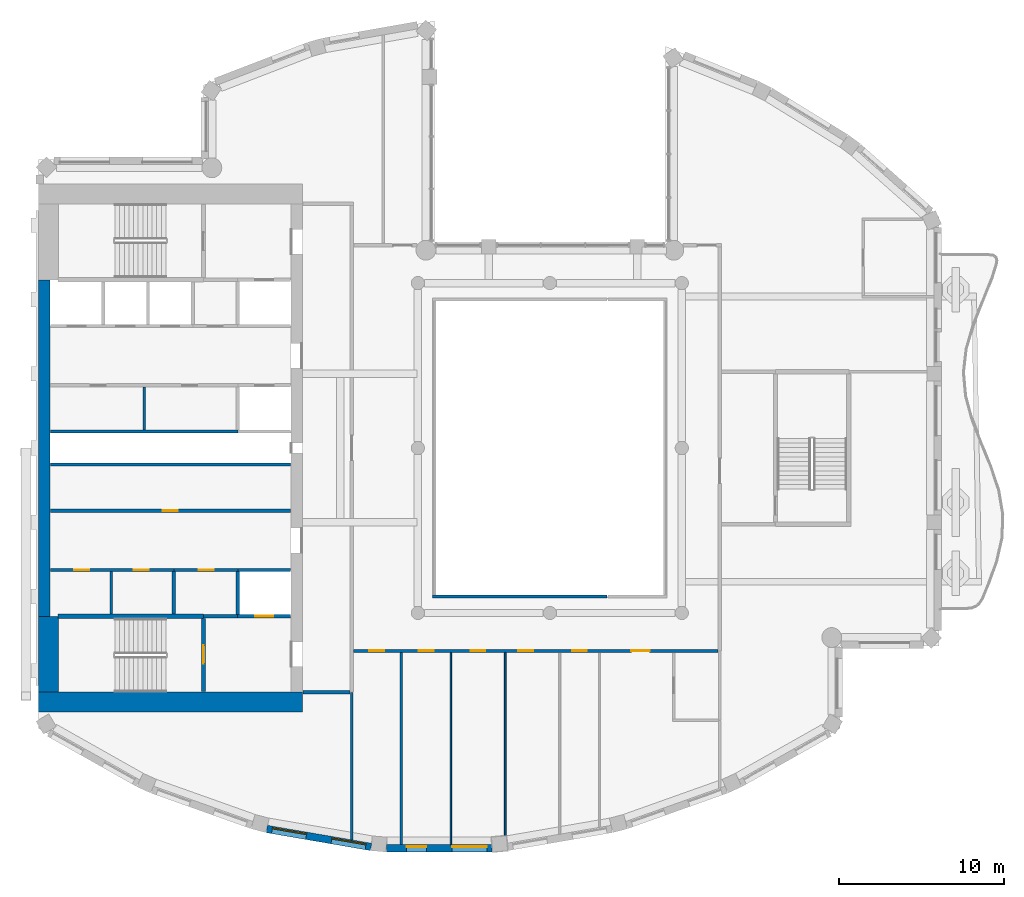
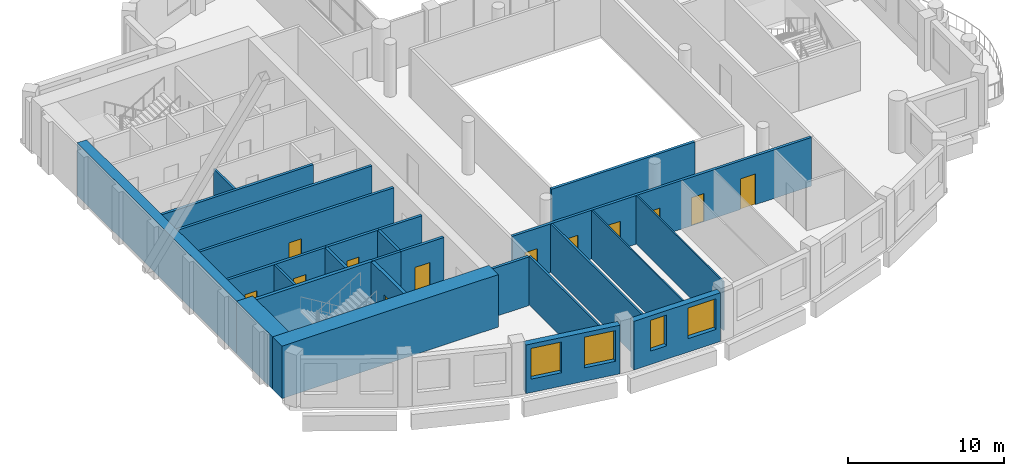
# One storey, part 4 of 15: 26 walls, 12 doors, 4 windows, 16 openings.
"""IFC4 building model written with IfcOpenShell, lengths in metres."""

from ifc_helpers import new_model, si_unit, direction, frame, frame_2d, origin, place, context, subcontext, project, spatial, rectangle, extrude, material, layer, layer_set, type_object, element, fill, save


model = new_model("IFC4")

# Units and contexts
model_context = context("Model", 3, precision=1e-05, world=origin(), true_north=direction((0.0, 1.0)))
body_context = subcontext(model_context, "Body", "Model", "MODEL_VIEW")
ifc_project = project(units=[si_unit("LENGTHUNIT", "METRE"), si_unit("AREAUNIT", "SQUARE_METRE"), si_unit("VOLUMEUNIT", "CUBIC_METRE"), si_unit("PLANEANGLEUNIT", "RADIAN"), si_unit("MASSUNIT", "GRAM", prefix="KILO")], contexts=[model_context])

# Site, building, storey
site_placement = place(None, origin())
site = spatial("IfcSite", under=ifc_project, at=site_placement, CompositionType="ELEMENT")
building_placement = place(site_placement, origin())
building = spatial("IfcBuilding", under=site, at=building_placement, Name="Cypress Arch Tower", CompositionType="ELEMENT")
storey_placement = place(building_placement, frame((0.0, 0.0, 313.10009765625)))
storey = spatial("IfcBuildingStorey", under=building, at=storey_placement, Name="L71", CompositionType="ELEMENT", Elevation=313.10009765625)

# Wall, openings, windows
ifc_material_1 = material(Name="Brick (red buff blend)", Category="masonry")
ifc_layer_1 = layer(ifc_material_1, 0.449951171875)
ifc_layer_set_1 = layer_set([ifc_layer_1], Name="Brick pier and spandrel wall BW450")
wall_type_1 = type_object("IfcWallType", Name="Brick pier and spandrel wall BW450", PredefinedType="SOLIDWALL", material=ifc_layer_set_1)
wall_1_placement = place(storey_placement, frame((-16.15673828125, -23.09716796875, 0.0), z_axis=(0.0, 0.0, 1.0), x_axis=(0.985502073964, -0.169663379113, 0.0)))
wall_1 = element("IfcWall", 1, at=wall_1_placement, inside=storey, type_object=wall_type_1, Name="Brick wall L71 C10.0", PredefinedType="SOLIDWALL", context=body_context, shape_type="SweptSolid", body=[
    extrude(rectangle(XDim=6.412109375, YDim=0.449951171875, at=frame_2d((3.2060546875, 0.0))), origin(), (0.0, 0.0, 1.0), 3.7998046875),
])
opening_1_placement = place(wall_1_placement, frame((0.3271484375, 0.0, 1.050048828125)))
opening_1 = element("IfcOpeningElement", 2, at=opening_1_placement, cuts=wall_1, Name="Opening W210O", PredefinedType="OPENING", context=body_context, shape_type="SweptSolid", body=[
    extrude(rectangle(XDim=2.10009765625, YDim=2.39990234375, at=frame_2d((1.050048828125, 1.199951171875))), frame((0.0, 0.23486328125, 0.0), z_axis=(0.0, -1.0, 0.0), x_axis=(1.0, 0.0, 0.0)), (0.0, 0.0, 1.0), 0.469970703125),
])
opening_2_placement = place(wall_1_placement, frame((3.98486328125, 0.0, 1.050048828125)))
opening_2 = element("IfcOpeningElement", 3, at=opening_2_placement, cuts=wall_1, Name="Opening W210O", PredefinedType="OPENING", context=body_context, shape_type="SweptSolid", body=[
    extrude(rectangle(XDim=2.10009765625, YDim=2.39990234375, at=frame_2d((1.050048828125, 1.199951171875))), frame((0.0, 0.23486328125, 0.0), z_axis=(0.0, -1.0, 0.0), x_axis=(1.0, 0.0, 0.0)), (0.0, 0.0, 1.0), 0.469970703125),
])
ifc_material_2 = material(Name="Anodised aluminium, bronze finish, clear low-emissivity double glazing", Category="aluminium")
window_type_1 = type_object("IfcWindowType", Name="Window Office 2100x2400", PartitioningType="SINGLE_PANEL", PredefinedType="WINDOW", material=ifc_material_2)
window_1_placement = place(opening_1_placement, origin())
window_1 = element("IfcWindow", 4, at=window_1_placement, inside=storey, type_object=window_type_1, Name="Window L71 C10.0.1", OverallHeight=2.39990234375, OverallWidth=2.10009765625, PartitioningType="SINGLE_PANEL", PredefinedType="WINDOW", context=body_context, shape_type="SweptSolid", body=[
    extrude(rectangle(XDim=2.10009765625, YDim=2.39990234375, at=frame_2d((1.050048828125, 1.199951171875))), frame((0.0, 0.135009765625, 0.0), z_axis=(0.0, -1.0, 0.0), x_axis=(1.0, 0.0, 0.0)), (0.0, 0.0, 1.0), 0.06005859375),
])
fill(opening_1, window_1)
window_2_placement = place(opening_2_placement, origin())
window_2 = element("IfcWindow", 5, at=window_2_placement, inside=storey, type_object=window_type_1, Name="Window L71 C10.0.2", OverallHeight=2.39990234375, OverallWidth=2.10009765625, PartitioningType="SINGLE_PANEL", PredefinedType="WINDOW", context=body_context, shape_type="SweptSolid", body=[
    extrude(rectangle(XDim=2.10009765625, YDim=2.39990234375, at=frame_2d((1.050048828125, 1.199951171875))), frame((0.0, 0.135009765625, 0.0), z_axis=(0.0, -1.0, 0.0), x_axis=(1.0, 0.0, 0.0)), (0.0, 0.0, 1.0), 0.06005859375),
])
fill(opening_2, window_2)

wall_2_placement = place(storey_placement, frame((-8.90283203125, -24.264892578125, 0.0), z_axis=(0.0, 0.0, 1.0), x_axis=(1.0, 0.0, 0.0)))
wall_2 = element("IfcWall", 6, at=wall_2_placement, inside=storey, type_object=wall_type_1, Name="Brick wall L71 C11.0", PredefinedType="SOLIDWALL", context=body_context, shape_type="SweptSolid", body=[
    extrude(rectangle(XDim=6.405517578125, YDim=0.449951171875, at=frame_2d((3.20263671875, 0.0))), origin(), (0.0, 0.0, 1.0), 3.7998046875),
])
opening_3_placement = place(wall_2_placement, frame((3.97998046875, 0.0, 1.050048828125)))
opening_3 = element("IfcOpeningElement", 7, at=opening_3_placement, cuts=wall_2, Name="Opening W210O", PredefinedType="OPENING", context=body_context, shape_type="SweptSolid", body=[
    extrude(rectangle(XDim=2.10009765625, YDim=2.39990234375, at=frame_2d((1.050048828125, 1.199951171875))), frame((0.0, 0.23486328125, 0.0), z_axis=(0.0, -1.0, 0.0), x_axis=(1.0, 0.0, 0.0)), (0.0, 0.0, 1.0), 0.469970703125),
])
opening_4_placement = place(wall_2_placement, frame((1.214111328125, 0.0, 1.050048828125)))
opening_4 = element("IfcOpeningElement", 8, at=opening_4_placement, cuts=wall_2, Name="Opening W120O", PredefinedType="OPENING", context=body_context, shape_type="SweptSolid", body=[
    extrude(rectangle(XDim=1.199951171875, YDim=2.39990234375, at=frame_2d((0.60009765625, 1.199951171875))), frame((0.0, 0.23486328125, 0.0), z_axis=(0.0, -1.0, 0.0), x_axis=(1.0, 0.0, 0.0)), (0.0, 0.0, 1.0), 0.469970703125),
])
ifc_material_3 = material(Name="Anodised aluminium, bronze finish, clear low-emissivity double glazing", Category="aluminium")
window_type_2 = type_object("IfcWindowType", Name="Window Office 1200x2400", PartitioningType="SINGLE_PANEL", PredefinedType="WINDOW", material=ifc_material_3)
window_3_placement = place(opening_4_placement, origin())
window_3 = element("IfcWindow", 9, at=window_3_placement, inside=storey, type_object=window_type_2, Name="Window L71 C11.0.1", OverallHeight=2.39990234375, OverallWidth=1.199951171875, PartitioningType="SINGLE_PANEL", PredefinedType="WINDOW", context=body_context, shape_type="SweptSolid", body=[
    extrude(rectangle(XDim=1.199951171875, YDim=2.39990234375, at=frame_2d((0.60009765625, 1.199951171875))), frame((0.0, 0.135009765625, 0.0), z_axis=(0.0, -1.0, 0.0), x_axis=(1.0, 0.0, 0.0)), (0.0, 0.0, 1.0), 0.06005859375),
])
fill(opening_4, window_3)
window_4_placement = place(opening_3_placement, origin())
window_4 = element("IfcWindow", 10, at=window_4_placement, inside=storey, type_object=window_type_1, Name="Window L71 C11.0.2", OverallHeight=2.39990234375, OverallWidth=2.10009765625, PartitioningType="SINGLE_PANEL", PredefinedType="WINDOW", context=body_context, shape_type="SweptSolid", body=[
    extrude(rectangle(XDim=2.10009765625, YDim=2.39990234375, at=frame_2d((1.050048828125, 1.199951171875))), frame((0.0, 0.135009765625, 0.0), z_axis=(0.0, -1.0, 0.0), x_axis=(1.0, 0.0, 0.0)), (0.0, 0.0, 1.0), 0.06005859375),
])
fill(opening_3, window_4)

# Walls
ifc_material_4 = material(Name="Concrete C60/75", Category="concrete")
ifc_layer_2 = layer(ifc_material_4, 1.199951171875)
ifc_layer_set_2 = layer_set([ifc_layer_2], Name="Core wall CW1200 C60/75")
wall_type_2 = type_object("IfcWallType", Name="Core wall CW1200 C60/75", PredefinedType="SHEAR", material=ifc_layer_set_2)
wall_3_placement = place(storey_placement, frame((-30.0, -15.39990234375, 0.0), z_axis=(0.0, 0.0, 1.0), x_axis=(1.0, 0.0, 0.0)))
element("IfcWall", 11, at=wall_3_placement, inside=storey, type_object=wall_type_2, Name="Core wall", PredefinedType="SHEAR", context=body_context, shape_type="SweptSolid", body=[
    extrude(rectangle(XDim=16.0, YDim=1.199951171875, at=frame_2d((8.0, 0.0))), origin(), (0.0, 0.0, 1.0), 4.099853515625),
])
wall_4_placement = place(storey_placement, frame((-29.39990234375, -14.800048828125, 0.0), z_axis=(0.0, 0.0, 1.0), x_axis=(0.0, 1.0, 0.0)))
element("IfcWall", 12, at=wall_4_placement, inside=storey, type_object=wall_type_2, Name="Core wall", PredefinedType="SHEAR", context=body_context, shape_type="SweptSolid", body=[
    extrude(rectangle(XDim=4.60009765625, YDim=1.199951171875, at=frame_2d((2.300048828125, 0.0))), origin(), (0.0, 0.0, 1.0), 4.099853515625),
])
ifc_material_5 = material(Name="Concrete C60/75", Category="concrete")
ifc_layer_3 = layer(ifc_material_5, 0.699951171875)
ifc_layer_set_3 = layer_set([ifc_layer_3], Name="Core wall CW700 C60/75")
wall_type_3 = type_object("IfcWallType", Name="Core wall CW700 C60/75", PredefinedType="SHEAR", material=ifc_layer_set_3)
wall_5_placement = place(storey_placement, frame((-29.64990234375, -10.199951171875, 0.0), z_axis=(0.0, 0.0, 1.0), x_axis=(0.0, 1.0, 0.0)))
element("IfcWall", 13, at=wall_5_placement, inside=storey, type_object=wall_type_3, Name="Core wall", PredefinedType="SHEAR", context=body_context, shape_type="SweptSolid", body=[
    extrude(rectangle(XDim=20.39990234375, YDim=0.699951171875, at=frame_2d((10.199951171875, 0.0))), origin(), (0.0, 0.0, 1.0), 4.099853515625),
])

# Wall, openings, doors
ifc_material_6 = material(Name="Concrete blockwork, plastered, rated", Category="masonry")
ifc_layer_4 = layer(ifc_material_6, 0.199951171875)
ifc_layer_set_4 = layer_set([ifc_layer_4], Name="Corridor wall FW200")
wall_type_4 = type_object("IfcWallType", Name="Corridor wall FW200", PredefinedType="PARTITIONING", material=ifc_layer_set_4)
wall_6_placement = place(storey_placement, frame((-29.27001953125, -7.39990234375, 0.0), z_axis=(0.0, 0.0, 1.0), x_axis=(1.0, 0.0, 0.0)))
wall_6 = element("IfcWall", 14, at=wall_6_placement, inside=storey, type_object=wall_type_4, Name="Corridor wall", PredefinedType="PARTITIONING", context=body_context, shape_type="SweptSolid", body=[
    extrude(rectangle(XDim=7.489990234375, YDim=0.199951171875, at=frame_2d((3.7451171875, 0.0))), origin(), (0.0, 0.0, 1.0), 3.7998046875),
])
opening_5_placement = place(wall_6_placement, frame((1.449951171875, 0.0, 0.0)))
opening_5 = element("IfcOpeningElement", 15, at=opening_5_placement, cuts=wall_6, Name="Opening D05", PredefinedType="OPENING", context=body_context, shape_type="SweptSolid", body=[
    extrude(rectangle(XDim=0.89990234375, YDim=2.199951171875, at=frame_2d((0.449951171875, 1.10009765625))), frame((0.0, 0.10986328125, 0.0), z_axis=(0.0, -1.0, 0.0), x_axis=(1.0, 0.0, 0.0)), (0.0, 0.0, 1.0), 0.219970703125),
])
opening_6_placement = place(wall_6_placement, frame((5.050048828125, 0.0, 0.0)))
opening_6 = element("IfcOpeningElement", 16, at=opening_6_placement, cuts=wall_6, Name="Opening D05", PredefinedType="OPENING", context=body_context, shape_type="SweptSolid", body=[
    extrude(rectangle(XDim=0.89990234375, YDim=2.199951171875, at=frame_2d((0.449951171875, 1.10009765625))), frame((0.0, 0.10986328125, 0.0), z_axis=(0.0, -1.0, 0.0), x_axis=(1.0, 0.0, 0.0)), (0.0, 0.0, 1.0), 0.219970703125),
])
ifc_material_7 = material(Name="Timber flush door", Category="wood")
door_type_1 = type_object("IfcDoorType", Name="Service door D05 900x2200", OperationType="SINGLE_SWING_LEFT", PredefinedType="DOOR", material=ifc_material_7)
door_1_placement = place(opening_5_placement, origin())
door_1 = element("IfcDoor", 17, at=door_1_placement, inside=storey, type_object=door_type_1, Name="Service door", OperationType="SINGLE_SWING_LEFT", OverallHeight=2.199951171875, OverallWidth=0.89990234375, PredefinedType="DOOR", context=body_context, shape_type="SweptSolid", body=[
    extrude(rectangle(XDim=0.89990234375, YDim=2.199951171875, at=frame_2d((0.449951171875, 1.10009765625))), frame((0.0, 0.02490234375, 0.0), z_axis=(0.0, -1.0, 0.0), x_axis=(1.0, 0.0, 0.0)), (0.0, 0.0, 1.0), 0.050048828125),
])
fill(opening_5, door_1)
door_2_placement = place(opening_6_placement, origin())
door_2 = element("IfcDoor", 18, at=door_2_placement, inside=storey, type_object=door_type_1, Name="Service door", OperationType="SINGLE_SWING_RIGHT", OverallHeight=2.199951171875, OverallWidth=0.89990234375, PredefinedType="DOOR", context=body_context, shape_type="SweptSolid", body=[
    extrude(rectangle(XDim=0.89990234375, YDim=2.199951171875, at=frame_2d((0.449951171875, 1.10009765625))), frame((0.0, 0.02490234375, 0.0), z_axis=(0.0, -1.0, 0.0), x_axis=(1.0, 0.0, 0.0)), (0.0, 0.0, 1.0), 0.050048828125),
])
fill(opening_6, door_2)

# Wall, opening, door
wall_7_placement = place(storey_placement, frame((-29.27001953125, -3.800048828125, 0.0), z_axis=(0.0, 0.0, 1.0), x_axis=(1.0, 0.0, 0.0)))
wall_7 = element("IfcWall", 19, at=wall_7_placement, inside=storey, type_object=wall_type_4, Name="Corridor wall", PredefinedType="PARTITIONING", context=body_context, shape_type="SweptSolid", body=[
    extrude(rectangle(XDim=14.5400390625, YDim=0.199951171875, at=frame_2d((7.27001953125, 0.0))), origin(), (0.0, 0.0, 1.0), 3.7998046875),
])
opening_7_placement = place(wall_7_placement, frame((6.800048828125, 0.0, 0.0)))
opening_7 = element("IfcOpeningElement", 20, at=opening_7_placement, cuts=wall_7, Name="Opening D05", PredefinedType="OPENING", context=body_context, shape_type="SweptSolid", body=[
    extrude(rectangle(XDim=0.89990234375, YDim=2.199951171875, at=frame_2d((0.449951171875, 1.10009765625))), frame((0.0, 0.10986328125, 0.0), z_axis=(0.0, -1.0, 0.0), x_axis=(1.0, 0.0, 0.0)), (0.0, 0.0, 1.0), 0.219970703125),
])
door_3_placement = place(opening_7_placement, origin())
door_3 = element("IfcDoor", 21, at=door_3_placement, inside=storey, type_object=door_type_1, Name="Service door", OperationType="SINGLE_SWING_LEFT", OverallHeight=2.199951171875, OverallWidth=0.89990234375, PredefinedType="DOOR", context=body_context, shape_type="SweptSolid", body=[
    extrude(rectangle(XDim=0.89990234375, YDim=2.199951171875, at=frame_2d((0.449951171875, 1.10009765625))), frame((0.0, 0.02490234375, 0.0), z_axis=(0.0, -1.0, 0.0), x_axis=(1.0, 0.0, 0.0)), (0.0, 0.0, 1.0), 0.050048828125),
])
fill(opening_7, door_3)

# Wall
wall_8_placement = place(storey_placement, frame((-13.969970703125, -14.800048828125, 0.0), z_axis=(0.0, 0.0, 1.0), x_axis=(1.0, 0.0, 0.0)))
element("IfcWall", 22, at=wall_8_placement, inside=storey, type_object=wall_type_4, Name="Corridor wall", PredefinedType="PARTITIONING", context=body_context, shape_type="SweptSolid", body=[
    extrude(rectangle(XDim=2.869873046875, YDim=0.199951171875, at=frame_2d((1.43505859375, 0.0))), origin(), (0.0, 0.0, 1.0), 3.7998046875),
])

# Wall, openings, doors
wall_9_placement = place(storey_placement, frame((-10.89990234375, -12.300048828125, 0.0), z_axis=(0.0, 0.0, 1.0), x_axis=(1.0, 0.0, 0.0)))
wall_9 = element("IfcWall", 23, at=wall_9_placement, inside=storey, type_object=wall_type_4, Name="Corridor wall", PredefinedType="PARTITIONING", context=body_context, shape_type="SweptSolid", body=[
    extrude(rectangle(XDim=22.099853515625, YDim=0.199951171875, at=frame_2d((11.0498046875, 0.0))), origin(), (0.0, 0.0, 1.0), 3.7998046875),
])
opening_8_placement = place(wall_9_placement, frame((0.949951171875, 0.0, 0.0)))
opening_8 = element("IfcOpeningElement", 24, at=opening_8_placement, cuts=wall_9, Name="Opening D05", PredefinedType="OPENING", context=body_context, shape_type="SweptSolid", body=[
    extrude(rectangle(XDim=0.89990234375, YDim=2.199951171875, at=frame_2d((0.449951171875, 1.10009765625))), frame((0.0, 0.10986328125, 0.0), z_axis=(0.0, -1.0, 0.0), x_axis=(1.0, 0.0, 0.0)), (0.0, 0.0, 1.0), 0.219970703125),
])
opening_9_placement = place(wall_9_placement, frame((3.949951171875, 0.0, 0.0)))
opening_9 = element("IfcOpeningElement", 25, at=opening_9_placement, cuts=wall_9, Name="Opening D05", PredefinedType="OPENING", context=body_context, shape_type="SweptSolid", body=[
    extrude(rectangle(XDim=0.89990234375, YDim=2.199951171875, at=frame_2d((0.449951171875, 1.10009765625))), frame((0.0, 0.10986328125, 0.0), z_axis=(0.0, -1.0, 0.0), x_axis=(1.0, 0.0, 0.0)), (0.0, 0.0, 1.0), 0.219970703125),
])
opening_10_placement = place(wall_9_placement, frame((7.10009765625, 0.0, 0.0)))
opening_10 = element("IfcOpeningElement", 26, at=opening_10_placement, cuts=wall_9, Name="Opening D03", PredefinedType="OPENING", context=body_context, shape_type="SweptSolid", body=[
    extrude(rectangle(XDim=0.89990234375, YDim=2.199951171875, at=frame_2d((0.449951171875, 1.10009765625))), frame((0.0, 0.10986328125, 0.0), z_axis=(0.0, -1.0, 0.0), x_axis=(1.0, 0.0, 0.0)), (0.0, 0.0, 1.0), 0.219970703125),
])
opening_11_placement = place(wall_9_placement, frame((10.0, 0.0, 0.0)))
opening_11 = element("IfcOpeningElement", 27, at=opening_11_placement, cuts=wall_9, Name="Opening D03", PredefinedType="OPENING", context=body_context, shape_type="SweptSolid", body=[
    extrude(rectangle(XDim=0.89990234375, YDim=2.199951171875, at=frame_2d((0.449951171875, 1.10009765625))), frame((0.0, 0.10986328125, 0.0), z_axis=(0.0, -1.0, 0.0), x_axis=(1.0, 0.0, 0.0)), (0.0, 0.0, 1.0), 0.219970703125),
])
opening_12_placement = place(wall_9_placement, frame((13.25, 0.0, 0.0)))
opening_12 = element("IfcOpeningElement", 28, at=opening_12_placement, cuts=wall_9, Name="Opening D03", PredefinedType="OPENING", context=body_context, shape_type="SweptSolid", body=[
    extrude(rectangle(XDim=0.89990234375, YDim=2.199951171875, at=frame_2d((0.449951171875, 1.10009765625))), frame((0.0, 0.10986328125, 0.0), z_axis=(0.0, -1.0, 0.0), x_axis=(1.0, 0.0, 0.0)), (0.0, 0.0, 1.0), 0.219970703125),
])
opening_13_placement = place(wall_9_placement, frame((16.85009765625, 0.0, 0.0)))
opening_13 = element("IfcOpeningElement", 29, at=opening_13_placement, cuts=wall_9, Name="Opening D01", PredefinedType="OPENING", context=body_context, shape_type="SweptSolid", body=[
    extrude(rectangle(XDim=1.10009765625, YDim=2.39990234375, at=frame_2d((0.550048828125, 1.199951171875))), frame((0.0, 0.10986328125, 0.0), z_axis=(0.0, -1.0, 0.0), x_axis=(1.0, 0.0, 0.0)), (0.0, 0.0, 1.0), 0.219970703125),
])
ifc_material_8 = material(Name="Timber flush door, moisture resistant", Category="wood")
door_type_2 = type_object("IfcDoorType", Name="Bathroom door D03 900x2200", OperationType="SINGLE_SWING_LEFT", PredefinedType="DOOR", material=ifc_material_8)
door_4_placement = place(opening_10_placement, origin())
door_4 = element("IfcDoor", 30, at=door_4_placement, inside=storey, type_object=door_type_2, Name="Bathroom door", OperationType="SINGLE_SWING_RIGHT", OverallHeight=2.199951171875, OverallWidth=0.89990234375, PredefinedType="DOOR", context=body_context, shape_type="SweptSolid", body=[
    extrude(rectangle(XDim=0.89990234375, YDim=2.199951171875, at=frame_2d((0.449951171875, 1.10009765625))), frame((0.0, 0.02490234375, 0.0), z_axis=(0.0, -1.0, 0.0), x_axis=(1.0, 0.0, 0.0)), (0.0, 0.0, 1.0), 0.050048828125),
])
fill(opening_10, door_4)
door_5_placement = place(opening_11_placement, origin())
door_5 = element("IfcDoor", 31, at=door_5_placement, inside=storey, type_object=door_type_2, Name="Bathroom door", OperationType="SINGLE_SWING_RIGHT", OverallHeight=2.199951171875, OverallWidth=0.89990234375, PredefinedType="DOOR", context=body_context, shape_type="SweptSolid", body=[
    extrude(rectangle(XDim=0.89990234375, YDim=2.199951171875, at=frame_2d((0.449951171875, 1.10009765625))), frame((0.0, 0.02490234375, 0.0), z_axis=(0.0, -1.0, 0.0), x_axis=(1.0, 0.0, 0.0)), (0.0, 0.0, 1.0), 0.050048828125),
])
fill(opening_11, door_5)
door_6_placement = place(opening_12_placement, origin())
door_6 = element("IfcDoor", 32, at=door_6_placement, inside=storey, type_object=door_type_2, Name="Bathroom door", OperationType="SINGLE_SWING_RIGHT", OverallHeight=2.199951171875, OverallWidth=0.89990234375, PredefinedType="DOOR", context=body_context, shape_type="SweptSolid", body=[
    extrude(rectangle(XDim=0.89990234375, YDim=2.199951171875, at=frame_2d((0.449951171875, 1.10009765625))), frame((0.0, 0.02490234375, 0.0), z_axis=(0.0, -1.0, 0.0), x_axis=(1.0, 0.0, 0.0)), (0.0, 0.0, 1.0), 0.050048828125),
])
fill(opening_12, door_6)
door_7_placement = place(opening_8_placement, origin())
door_7 = element("IfcDoor", 33, at=door_7_placement, inside=storey, type_object=door_type_1, Name="Service door", OperationType="SINGLE_SWING_RIGHT", OverallHeight=2.199951171875, OverallWidth=0.89990234375, PredefinedType="DOOR", context=body_context, shape_type="SweptSolid", body=[
    extrude(rectangle(XDim=0.89990234375, YDim=2.199951171875, at=frame_2d((0.449951171875, 1.10009765625))), frame((0.0, 0.02490234375, 0.0), z_axis=(0.0, -1.0, 0.0), x_axis=(1.0, 0.0, 0.0)), (0.0, 0.0, 1.0), 0.050048828125),
])
fill(opening_8, door_7)
door_8_placement = place(opening_9_placement, origin())
door_8 = element("IfcDoor", 34, at=door_8_placement, inside=storey, type_object=door_type_1, Name="Service door", OperationType="SINGLE_SWING_RIGHT", OverallHeight=2.199951171875, OverallWidth=0.89990234375, PredefinedType="DOOR", context=body_context, shape_type="SweptSolid", body=[
    extrude(rectangle(XDim=0.89990234375, YDim=2.199951171875, at=frame_2d((0.449951171875, 1.10009765625))), frame((0.0, 0.02490234375, 0.0), z_axis=(0.0, -1.0, 0.0), x_axis=(1.0, 0.0, 0.0)), (0.0, 0.0, 1.0), 0.050048828125),
])
fill(opening_9, door_8)
ifc_material_9 = material(Name="Timber flush door, fire resisting, self-closing", Category="wood")
door_type_3 = type_object("IfcDoorType", Name="Unit entrance door D01 1100x2400", OperationType="SINGLE_SWING_LEFT", PredefinedType="DOOR", material=ifc_material_9)
door_9_placement = place(opening_13_placement, origin())
door_9 = element("IfcDoor", 35, at=door_9_placement, inside=storey, type_object=door_type_3, Name="Unit entrance door", OperationType="SINGLE_SWING_LEFT", OverallHeight=2.39990234375, OverallWidth=1.10009765625, PredefinedType="DOOR", context=body_context, shape_type="SweptSolid", body=[
    extrude(rectangle(XDim=1.10009765625, YDim=2.39990234375, at=frame_2d((0.550048828125, 1.199951171875))), frame((0.0, 0.02490234375, 0.0), z_axis=(0.0, -1.0, 0.0), x_axis=(1.0, 0.0, 0.0)), (0.0, 0.0, 1.0), 0.050048828125),
])
fill(opening_13, door_9)

# Walls
wall_10_placement = place(storey_placement, frame((-6.10009765625, -9.0, 0.0), z_axis=(0.0, 0.0, 1.0), x_axis=(1.0, 0.0, 0.0)))
element("IfcWall", 36, at=wall_10_placement, inside=storey, type_object=wall_type_4, Name="Corridor wall", PredefinedType="PARTITIONING", context=body_context, shape_type="SweptSolid", body=[
    extrude(rectangle(XDim=10.580078125, YDim=0.199951171875, at=frame_2d((5.2900390625, 0.0))), origin(), (0.0, 0.0, 1.0), 3.7998046875),
])
ifc_material_10 = material(Name="Blockwork, plastered both sides", Category="masonry")
ifc_layer_5 = layer(ifc_material_10, 0.14990234375)
ifc_layer_set_5 = layer_set([ifc_layer_5], Name="Partition PW150")
wall_type_5 = type_object("IfcWallType", Name="Partition PW150", PredefinedType="PARTITIONING", material=ifc_layer_set_5)
wall_11_placement = place(storey_placement, frame((-25.60009765625, -10.074951171875, 0.0), z_axis=(0.0, 0.0, 1.0), x_axis=(0.0, 1.0, 0.0)))
element("IfcWall", 37, at=wall_11_placement, inside=storey, type_object=wall_type_5, Name="Partition", PredefinedType="PARTITIONING", context=body_context, shape_type="SweptSolid", body=[
    extrude(rectangle(XDim=2.574951171875, YDim=0.14990234375, at=frame_2d((1.28759765625, 0.0))), origin(), (0.0, 0.0, 1.0), 3.7998046875),
])
wall_12_placement = place(storey_placement, frame((-23.60009765625, 1.10009765625, 0.0), z_axis=(0.0, 0.0, 1.0), x_axis=(0.0, 1.0, 0.0)))
element("IfcWall", 38, at=wall_12_placement, inside=storey, type_object=wall_type_5, Name="Partition", PredefinedType="PARTITIONING", context=body_context, shape_type="SweptSolid", body=[
    extrude(rectangle(XDim=2.599853515625, YDim=0.14990234375, at=frame_2d((1.2998046875, 0.0))), origin(), (0.0, 0.0, 1.0), 3.7998046875),
])
wall_13_placement = place(storey_placement, frame((-11.0, -23.756591796875, 0.0), z_axis=(0.0, 0.0, 1.0), x_axis=(0.0, 1.0, 0.0)))
element("IfcWall", 39, at=wall_13_placement, inside=storey, type_object=wall_type_5, Name="Partition", PredefinedType="PARTITIONING", context=body_context, shape_type="SweptSolid", body=[
    extrude(rectangle(XDim=8.9365234375, YDim=0.14990234375, at=frame_2d((4.46826171875, 0.0))), origin(), (0.0, 0.0, 1.0), 3.7998046875),
])
wall_14_placement = place(storey_placement, frame((-8.0, -24.0400390625, 0.0), z_axis=(0.0, 0.0, 1.0), x_axis=(0.0, 1.0, 0.0)))
element("IfcWall", 40, at=wall_14_placement, inside=storey, type_object=wall_type_5, Name="Partition", PredefinedType="PARTITIONING", context=body_context, shape_type="SweptSolid", body=[
    extrude(rectangle(XDim=11.64013671875, YDim=0.14990234375, at=frame_2d((5.820068359375, 0.0))), origin(), (0.0, 0.0, 1.0), 3.7998046875),
])
ifc_material_11 = material(Name="Reinforced blockwork, plastered, rated", Category="masonry")
ifc_layer_6 = layer(ifc_material_11, 0.199951171875)
ifc_layer_set_6 = layer_set([ifc_layer_6], Name="Plant and riser wall PL200")
wall_type_6 = type_object("IfcWallType", Name="Plant and riser wall PL200", PredefinedType="PARTITIONING", material=ifc_layer_set_6)
wall_15_placement = place(storey_placement, frame((-29.27001953125, -1.0, 0.0), z_axis=(0.0, 0.0, 1.0), x_axis=(1.0, 0.0, 0.0)))
element("IfcWall", 41, at=wall_15_placement, inside=storey, type_object=wall_type_6, Name="Plant and riser wall", PredefinedType="PARTITIONING", context=body_context, shape_type="SweptSolid", body=[
    extrude(rectangle(XDim=14.5400390625, YDim=0.199951171875, at=frame_2d((7.27001953125, 0.0))), origin(), (0.0, 0.0, 1.0), 3.7998046875),
])
wall_16_placement = place(storey_placement, frame((-29.27001953125, 1.0, 0.0), z_axis=(0.0, 0.0, 1.0), x_axis=(1.0, 0.0, 0.0)))
element("IfcWall", 42, at=wall_16_placement, inside=storey, type_object=wall_type_6, Name="Plant and riser wall", PredefinedType="PARTITIONING", context=body_context, shape_type="SweptSolid", body=[
    extrude(rectangle(XDim=11.3701171875, YDim=0.199951171875, at=frame_2d((5.68505859375, 0.0))), origin(), (0.0, 0.0, 1.0), 3.7998046875),
])

# Wall, opening, door
wall_17_placement = place(storey_placement, frame((-21.780029296875, -7.39990234375, 0.0), z_axis=(0.0, 0.0, 1.0), x_axis=(1.0, 0.0, 0.0)))
wall_17 = element("IfcWall", 43, at=wall_17_placement, inside=storey, type_object=wall_type_6, Name="Plant and riser wall", PredefinedType="PARTITIONING", context=body_context, shape_type="SweptSolid", body=[
    extrude(rectangle(XDim=3.880126953125, YDim=0.199951171875, at=frame_2d((1.93994140625, 0.0))), origin(), (0.0, 0.0, 1.0), 3.7998046875),
])
opening_14_placement = place(wall_17_placement, frame((1.5, 0.0, 0.0)))
opening_14 = element("IfcOpeningElement", 44, at=opening_14_placement, cuts=wall_17, Name="Opening D05", PredefinedType="OPENING", context=body_context, shape_type="SweptSolid", body=[
    extrude(rectangle(XDim=0.89990234375, YDim=2.199951171875, at=frame_2d((0.449951171875, 1.10009765625))), frame((0.0, 0.10986328125, 0.0), z_axis=(0.0, -1.0, 0.0), x_axis=(1.0, 0.0, 0.0)), (0.0, 0.0, 1.0), 0.219970703125),
])
door_10_placement = place(opening_14_placement, origin())
door_10 = element("IfcDoor", 45, at=door_10_placement, inside=storey, type_object=door_type_1, Name="Service door", OperationType="SINGLE_SWING_LEFT", OverallHeight=2.199951171875, OverallWidth=0.89990234375, PredefinedType="DOOR", context=body_context, shape_type="SweptSolid", body=[
    extrude(rectangle(XDim=0.89990234375, YDim=2.199951171875, at=frame_2d((0.449951171875, 1.10009765625))), frame((0.0, 0.02490234375, 0.0), z_axis=(0.0, -1.0, 0.0), x_axis=(1.0, 0.0, 0.0)), (0.0, 0.0, 1.0), 0.050048828125),
])
fill(opening_14, door_10)

# Walls
wall_18_placement = place(storey_placement, frame((-21.800048828125, -10.074951171875, 0.0), z_axis=(0.0, 0.0, 1.0), x_axis=(0.0, 1.0, 0.0)))
element("IfcWall", 46, at=wall_18_placement, inside=storey, type_object=wall_type_6, Name="Plant and riser wall", PredefinedType="PARTITIONING", context=body_context, shape_type="SweptSolid", body=[
    extrude(rectangle(XDim=2.574951171875, YDim=0.199951171875, at=frame_2d((1.28759765625, 0.0))), origin(), (0.0, 0.0, 1.0), 3.7998046875),
])
wall_19_placement = place(storey_placement, frame((-20.0, -10.199951171875, 0.0), z_axis=(0.0, 0.0, 1.0), x_axis=(1.0, 0.0, 0.0)))
element("IfcWall", 47, at=wall_19_placement, inside=storey, type_object=wall_type_6, Name="Plant and riser wall", PredefinedType="PARTITIONING", context=body_context, shape_type="SweptSolid", body=[
    extrude(rectangle(XDim=2.080078125, YDim=0.199951171875, at=frame_2d((1.0400390625, 0.0))), origin(), (0.0, 0.0, 1.0), 3.7998046875),
])
ifc_material_12 = material(Name="Concrete C50/60", Category="concrete")
ifc_layer_7 = layer(ifc_material_12, 0.199951171875)
ifc_layer_set_7 = layer_set([ifc_layer_7], Name="Shaft wall SH200")
wall_type_7 = type_object("IfcWallType", Name="Shaft wall SH200", PredefinedType="SHEAR", material=ifc_layer_set_7)
wall_20_placement = place(storey_placement, frame((-17.919921875, -10.10009765625, 0.0), z_axis=(0.0, 0.0, 1.0), x_axis=(0.0, 1.0, 0.0)))
element("IfcWall", 48, at=wall_20_placement, inside=storey, type_object=wall_type_7, Name="Shaft wall", PredefinedType="SHEAR", context=body_context, shape_type="SweptSolid", body=[
    extrude(rectangle(XDim=2.60009765625, YDim=0.199951171875, at=frame_2d((1.300048828125, 0.0))), origin(), (0.0, 0.0, 1.0), 3.7998046875),
])

# Wall, opening, door
wall_21_placement = place(storey_placement, frame((-17.919921875, -10.199951171875, 0.0), z_axis=(0.0, 0.0, 1.0), x_axis=(1.0, 0.0, 0.0)))
wall_21 = element("IfcWall", 49, at=wall_21_placement, inside=storey, type_object=wall_type_7, Name="Shaft wall", PredefinedType="SHEAR", context=body_context, shape_type="SweptSolid", body=[
    extrude(rectangle(XDim=3.18994140625, YDim=0.199951171875, at=frame_2d((1.594970703125, 0.0))), origin(), (0.0, 0.0, 1.0), 3.7998046875),
])
opening_15_placement = place(wall_21_placement, frame((1.050048828125, 0.0, 0.0)))
opening_15 = element("IfcOpeningElement", 50, at=opening_15_placement, cuts=wall_21, Name="Opening LD-FL1", PredefinedType="OPENING", context=body_context, shape_type="SweptSolid", body=[
    extrude(rectangle(XDim=1.10009765625, YDim=2.199951171875, at=frame_2d((0.550048828125, 1.10009765625))), frame((0.0, 0.10986328125, 0.0), z_axis=(0.0, -1.0, 0.0), x_axis=(1.0, 0.0, 0.0)), (0.0, 0.0, 1.0), 0.219970703125),
])
ifc_material_13 = material(Name="Stainless steel centre-opening landing door, rated", Category="steel")
door_type_4 = type_object("IfcDoorType", Name="Lift landing door LD 1100x2200", OperationType="DOUBLE_DOOR_SLIDING", PredefinedType="DOOR", material=ifc_material_13)
door_11_placement = place(opening_15_placement, origin())
door_11 = element("IfcDoor", 51, at=door_11_placement, inside=storey, type_object=door_type_4, Name="Lift landing doors FL1", OperationType="DOUBLE_DOOR_SLIDING", OverallHeight=2.199951171875, OverallWidth=1.10009765625, PredefinedType="DOOR", context=body_context, shape_type="SweptSolid", body=[
    extrude(rectangle(XDim=1.10009765625, YDim=2.199951171875, at=frame_2d((0.550048828125, 1.10009765625))), frame((0.0, 0.02490234375, 0.0), z_axis=(0.0, -1.0, 0.0), x_axis=(1.0, 0.0, 0.0)), (0.0, 0.0, 1.0), 0.050048828125),
])
fill(opening_15, door_11)

# Walls
wall_22_placement = place(storey_placement, frame((-17.89990234375, -7.39990234375, 0.0), z_axis=(0.0, 0.0, 1.0), x_axis=(1.0, 0.0, 0.0)))
element("IfcWall", 52, at=wall_22_placement, inside=storey, type_object=wall_type_7, Name="Shaft wall", PredefinedType="SHEAR", context=body_context, shape_type="SweptSolid", body=[
    extrude(rectangle(XDim=3.169921875, YDim=0.199951171875, at=frame_2d((1.5849609375, 0.0))), origin(), (0.0, 0.0, 1.0), 3.7998046875),
])
ifc_material_14 = material(Name="Concrete C50/60", Category="concrete")
ifc_layer_8 = layer(ifc_material_14, 0.25)
ifc_layer_set_8 = layer_set([ifc_layer_8], Name="Stair enclosure wall SW250")
wall_type_8 = type_object("IfcWallType", Name="Stair enclosure wall SW250", PredefinedType="SHEAR", material=ifc_layer_set_8)
wall_23_placement = place(storey_placement, frame((-28.81005859375, -10.199951171875, 0.0), z_axis=(0.0, 0.0, 1.0), x_axis=(1.0, 0.0, 0.0)))
element("IfcWall", 53, at=wall_23_placement, inside=storey, type_object=wall_type_8, Name="Stair enclosure wall", PredefinedType="SHEAR", context=body_context, shape_type="SweptSolid", body=[
    extrude(rectangle(XDim=8.81005859375, YDim=0.25, at=frame_2d((4.405029296875, 0.0))), origin(), (0.0, 0.0, 1.0), 3.7998046875),
])

# Wall, opening, door
wall_24_placement = place(storey_placement, frame((-20.0, -14.77001953125, 0.0), z_axis=(0.0, 0.0, 1.0), x_axis=(0.0, 1.0, 0.0)))
wall_24 = element("IfcWall", 54, at=wall_24_placement, inside=storey, type_object=wall_type_8, Name="Stair enclosure wall", PredefinedType="SHEAR", context=body_context, shape_type="SweptSolid", body=[
    extrude(rectangle(XDim=4.445068359375, YDim=0.25, at=frame_2d((2.22265625, 0.0))), origin(), (0.0, 0.0, 1.0), 3.7998046875),
])
opening_16_placement = place(wall_24_placement, frame((1.699951171875, 0.0, 0.0)))
opening_16 = element("IfcOpeningElement", 55, at=opening_16_placement, cuts=wall_24, Name="Opening D06", PredefinedType="OPENING", context=body_context, shape_type="SweptSolid", body=[
    extrude(rectangle(XDim=1.10009765625, YDim=2.199951171875, at=frame_2d((0.550048828125, 1.10009765625))), frame((0.0, 0.135009765625, 0.0), z_axis=(0.0, -1.0, 0.0), x_axis=(1.0, 0.0, 0.0)), (0.0, 0.0, 1.0), 0.27001953125),
])
ifc_material_15 = material(Name="Steel door, fire resisting, panic bar", Category="steel")
door_type_5 = type_object("IfcDoorType", Name="Stair door D06 1100x2200", OperationType="SINGLE_SWING_LEFT", PredefinedType="DOOR", material=ifc_material_15)
door_12_placement = place(opening_16_placement, origin())
door_12 = element("IfcDoor", 56, at=door_12_placement, inside=storey, type_object=door_type_5, Name="Stair door", OperationType="SINGLE_SWING_RIGHT", OverallHeight=2.199951171875, OverallWidth=1.10009765625, PredefinedType="DOOR", context=body_context, shape_type="SweptSolid", body=[
    extrude(rectangle(XDim=1.10009765625, YDim=2.199951171875, at=frame_2d((0.550048828125, 1.10009765625))), frame((0.0, 0.02490234375, 0.0), z_axis=(0.0, -1.0, 0.0), x_axis=(1.0, 0.0, 0.0)), (0.0, 0.0, 1.0), 0.050048828125),
])
fill(opening_16, door_12)

# Walls
ifc_material_16 = material(Name="Moisture resistant board on steel studs, tiled", Category="steel")
ifc_layer_9 = layer(ifc_material_16, 0.10009765625)
ifc_layer_set_9 = layer_set([ifc_layer_9], Name="Wet wall PW100")
wall_type_9 = type_object("IfcWallType", Name="Wet wall PW100", PredefinedType="PARTITIONING", material=ifc_layer_set_9)
wall_25_placement = place(storey_placement, frame((-5.0, -24.0400390625, 0.0), z_axis=(0.0, 0.0, 1.0), x_axis=(0.0, 1.0, 0.0)))
element("IfcWall", 57, at=wall_25_placement, inside=storey, type_object=wall_type_9, Name="Wet wall", PredefinedType="PARTITIONING", context=body_context, shape_type="SweptSolid", body=[
    extrude(rectangle(XDim=11.64013671875, YDim=0.10009765625, at=frame_2d((5.820068359375, 0.0))), origin(), (0.0, 0.0, 1.0), 3.7998046875),
])
wall_26_placement = place(storey_placement, frame((-1.698974609375, -23.521728515625, 0.0), z_axis=(0.0, 0.0, 1.0), x_axis=(0.0, 1.0, 0.0)))
element("IfcWall", 58, at=wall_26_placement, inside=storey, type_object=wall_type_9, Name="Wet wall", PredefinedType="PARTITIONING", context=body_context, shape_type="SweptSolid", body=[
    extrude(rectangle(XDim=11.121826171875, YDim=0.10009765625, at=frame_2d((5.56103515625, 0.0))), origin(), (0.0, 0.0, 1.0), 3.7998046875),
])

save(model, "model.ifc")
